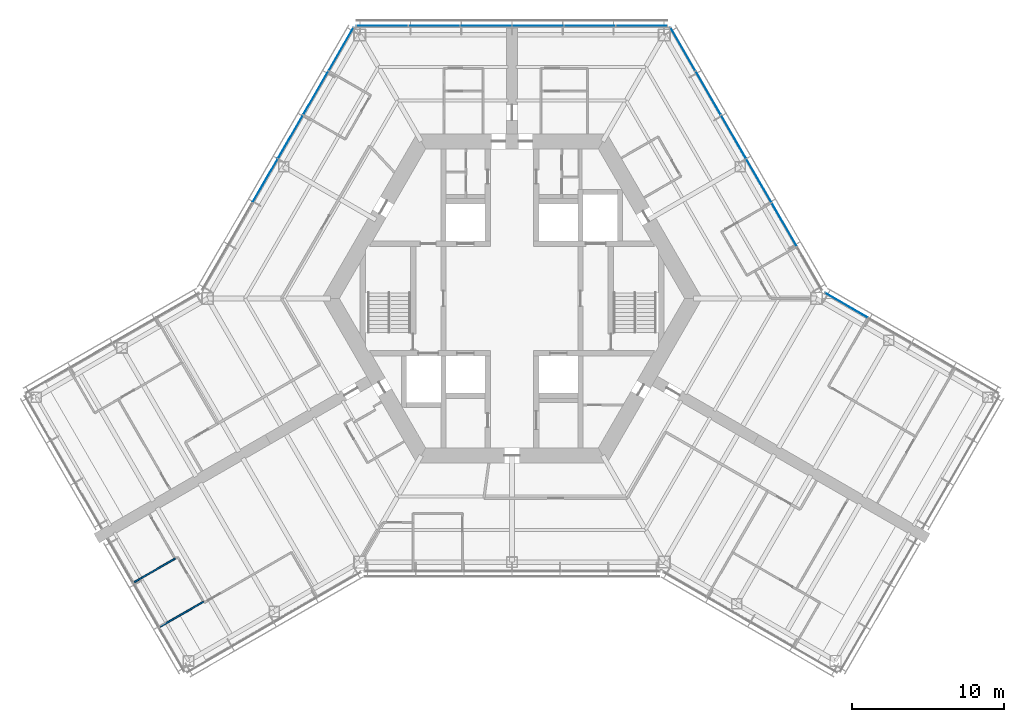
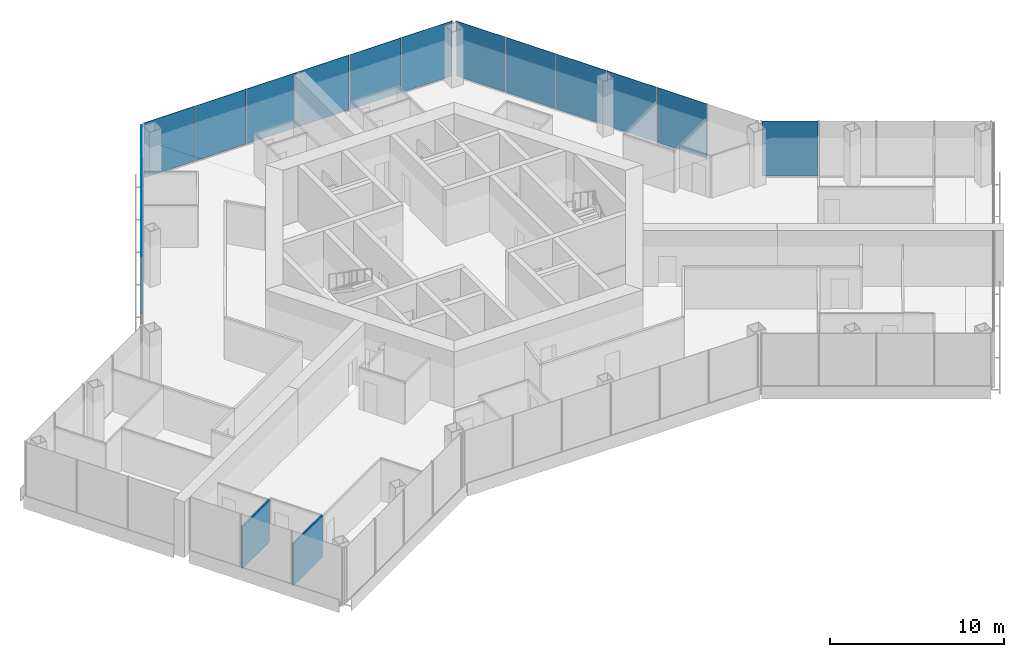
# One storey, part 11 of 18: 16 plates, 2 walls, 4 elements without a shape of their own.
"""IFC4 building model written with IfcOpenShell, lengths in metres."""

from ifc_helpers import new_model, si_unit, direction, frame, frame_2d, origin, origin_2d, place, context, subcontext, project, spatial, rectangle, extrude, material, layer, layer_set, type_object, element, aggregate, save


model = new_model("IFC4")

# Units and contexts
model_context = context("Model", 3, precision=1e-05, world=origin(), true_north=direction((0.0, 1.0)))
body_context = subcontext(model_context, "Body", "Model", "MODEL_VIEW")
ifc_project = project(units=[si_unit("LENGTHUNIT", "METRE"), si_unit("AREAUNIT", "SQUARE_METRE"), si_unit("VOLUMEUNIT", "CUBIC_METRE"), si_unit("PLANEANGLEUNIT", "RADIAN"), si_unit("MASSUNIT", "GRAM", prefix="KILO")], contexts=[model_context])

# Site, building, storey
site_placement = place(None, origin())
site = spatial("IfcSite", under=ifc_project, at=site_placement, CompositionType="ELEMENT")
building_placement = place(site_placement, origin())
building = spatial("IfcBuilding", under=site, at=building_placement, Name="Kasaneha Research Tower", CompositionType="ELEMENT")
storey_placement = place(building_placement, frame((0.0, 0.0, 195.5)))
storey = spatial("IfcBuildingStorey", under=building, at=storey_placement, Name="L49", CompositionType="ELEMENT", Elevation=195.5)

# Curtain wall, plate
ifc_material_1 = material(Name="Glass and aluminium", Category="aluminium")
curtain_wall_type = type_object("IfcCurtainWallType", Name="Mid-rise office curtain wall", PredefinedType="USERDEFINED", material=ifc_material_1)
curtain_wall_1_placement = place(storey_placement, origin())
curtain_wall_1 = element("IfcCurtainWall", 1, at=curtain_wall_1_placement, inside=storey, type_object=curtain_wall_type, Name="CW-O2 L49 run 05a", ObjectType="UNITISED CURTAIN WALL", PredefinedType="USERDEFINED")
ifc_material_2 = material(Name="Laminated double glazing", Category="glass")
ifc_layer_1 = layer(ifc_material_2, 0.02587890625)
ifc_layer_set_1 = layer_set([ifc_layer_1], Name="CW-O2 glazed panel")
plate_type = type_object("IfcPlateType", Name="CW-O2 glazed panel", PredefinedType="CURTAIN_PANEL", material=ifc_layer_set_1)
plate_1_placement = place(storey_placement, frame((21.971923828125, -0.44580078125, 0.06005859375), z_axis=(0.0, 0.0, 1.0), x_axis=(-0.866025411464, 0.499999986699, 0.0)))
plate_1 = element("IfcPlate", 2, at=plate_1_placement, type_object=plate_type, Name="CW-O2 panel 4", PredefinedType="CURTAIN_PANEL", context=body_context, shape_type="SweptSolid", body=[
    extrude(rectangle(XDim=3.2197265625, YDim=0.02587890625, at=origin_2d()), origin(), (0.0, 0.0, 1.0), 3.840087890625),
])
aggregate(curtain_wall_1, [plate_1])

# Curtain wall, plates
curtain_wall_2_placement = place(storey_placement, origin())
curtain_wall_2 = element("IfcCurtainWall", 3, at=curtain_wall_2_placement, inside=storey, type_object=curtain_wall_type, Name="CW-O2 L49 run 06a", ObjectType="UNITISED CURTAIN WALL", PredefinedType="USERDEFINED")
plate_2_placement = place(storey_placement, frame((17.89111328125, 4.852783203125, 0.06005859375), z_axis=(0.0, 0.0, 1.0), x_axis=(-0.499999979232, 0.866025415775, 0.0)))
plate_2 = element("IfcPlate", 4, at=plate_2_placement, type_object=plate_type, Name="CW-O2 panel 2", PredefinedType="CURTAIN_PANEL", context=body_context, shape_type="SweptSolid", body=[
    extrude(rectangle(XDim=3.27099609375, YDim=0.02587890625, at=origin_2d()), origin(), (0.0, 0.0, 1.0), 3.840087890625),
])
plate_3_placement = place(storey_placement, frame((16.2255859375, 7.737548828125, 0.06005859375), z_axis=(0.0, 0.0, 1.0), x_axis=(-0.499999979232, 0.866025415775, 0.0)))
plate_3 = element("IfcPlate", 5, at=plate_3_placement, type_object=plate_type, Name="CW-O2 panel 3", PredefinedType="CURTAIN_PANEL", context=body_context, shape_type="SweptSolid", body=[
    extrude(rectangle(XDim=3.27099609375, YDim=0.02587890625, at=origin_2d()), origin(), (0.0, 0.0, 1.0), 3.840087890625),
])
plate_4_placement = place(storey_placement, frame((14.56005859375, 10.622314453125, 0.06005859375), z_axis=(0.0, 0.0, 1.0), x_axis=(-0.499999979232, 0.866025415775, 0.0)))
plate_4 = element("IfcPlate", 6, at=plate_4_placement, type_object=plate_type, Name="CW-O2 panel 4", PredefinedType="CURTAIN_PANEL", context=body_context, shape_type="SweptSolid", body=[
    extrude(rectangle(XDim=3.27099609375, YDim=0.02587890625, at=origin_2d()), origin(), (0.0, 0.0, 1.0), 3.840087890625),
])
plate_5_placement = place(storey_placement, frame((12.89453125, 13.5068359375, 0.06005859375), z_axis=(0.0, 0.0, 1.0), x_axis=(-0.499999979232, 0.866025415775, 0.0)))
plate_5 = element("IfcPlate", 7, at=plate_5_placement, type_object=plate_type, Name="CW-O2 panel 5", PredefinedType="CURTAIN_PANEL", context=body_context, shape_type="SweptSolid", body=[
    extrude(rectangle(XDim=3.27099609375, YDim=0.02587890625, at=origin_2d()), origin(), (0.0, 0.0, 1.0), 3.840087890625),
])
plate_6_placement = place(storey_placement, frame((11.236572265625, 16.378662109375, 0.06005859375), z_axis=(0.0, 0.0, 1.0), x_axis=(-0.499999979232, 0.866025415775, 0.0)))
plate_6 = element("IfcPlate", 8, at=plate_6_placement, type_object=plate_type, Name="CW-O2 panel 6", PredefinedType="CURTAIN_PANEL", context=body_context, shape_type="SweptSolid", body=[
    extrude(rectangle(XDim=3.240966796875, YDim=0.02587890625, at=origin_2d()), origin(), (0.0, 0.0, 1.0), 3.840087890625),
])
aggregate(curtain_wall_2, [plate_2, plate_3, plate_4, plate_5, plate_6])

curtain_wall_3_placement = place(storey_placement, origin())
curtain_wall_3 = element("IfcCurtainWall", 9, at=curtain_wall_3_placement, inside=storey, type_object=curtain_wall_type, Name="CW-O2 L49 run 07a", ObjectType="UNITISED CURTAIN WALL", PredefinedType="USERDEFINED")
plate_7_placement = place(storey_placement, frame((8.523681640625, 17.92041015625, 0.06005859375), z_axis=(0.0, 0.0, 1.0), x_axis=(-1.0, 0.0, 0.0)))
plate_7 = element("IfcPlate", 10, at=plate_7_placement, type_object=plate_type, Name="CW-O2 panel 1", PredefinedType="CURTAIN_PANEL", context=body_context, shape_type="SweptSolid", body=[
    extrude(rectangle(XDim=3.325439453125, YDim=0.02587890625, at=origin_2d()), origin(), (0.0, 0.0, 1.0), 3.840087890625),
])
plate_8_placement = place(storey_placement, frame((5.123291015625, 17.92041015625, 0.06005859375), z_axis=(0.0, 0.0, 1.0), x_axis=(-1.0, 0.0, 0.0)))
plate_8 = element("IfcPlate", 11, at=plate_8_placement, type_object=plate_type, Name="CW-O2 panel 2", PredefinedType="CURTAIN_PANEL", context=body_context, shape_type="SweptSolid", body=[
    extrude(rectangle(XDim=3.35546875, YDim=0.02587890625, at=origin_2d()), origin(), (0.0, 0.0, 1.0), 3.840087890625),
])
plate_9_placement = place(storey_placement, frame((1.707763671875, 17.92041015625, 0.06005859375), z_axis=(0.0, 0.0, 1.0), x_axis=(-1.0, 0.0, 0.0)))
plate_9 = element("IfcPlate", 12, at=plate_9_placement, type_object=plate_type, Name="CW-O2 panel 3", PredefinedType="CURTAIN_PANEL", context=body_context, shape_type="SweptSolid", body=[
    extrude(rectangle(XDim=3.35546875, YDim=0.02587890625, at=origin_2d()), origin(), (0.0, 0.0, 1.0), 3.840087890625),
])
plate_10_placement = place(storey_placement, frame((-1.707763671875, 17.92041015625, 0.06005859375), z_axis=(0.0, 0.0, 1.0), x_axis=(-1.0, 0.0, 0.0)))
plate_10 = element("IfcPlate", 13, at=plate_10_placement, type_object=plate_type, Name="CW-O2 panel 4", PredefinedType="CURTAIN_PANEL", context=body_context, shape_type="SweptSolid", body=[
    extrude(rectangle(XDim=3.35546875, YDim=0.02587890625, at=origin_2d()), origin(), (0.0, 0.0, 1.0), 3.840087890625),
])
plate_11_placement = place(storey_placement, frame((-5.123291015625, 17.92041015625, 0.06005859375), z_axis=(0.0, 0.0, 1.0), x_axis=(-1.0, 0.0, 0.0)))
plate_11 = element("IfcPlate", 14, at=plate_11_placement, type_object=plate_type, Name="CW-O2 panel 5", PredefinedType="CURTAIN_PANEL", context=body_context, shape_type="SweptSolid", body=[
    extrude(rectangle(XDim=3.35546875, YDim=0.02587890625, at=origin_2d()), origin(), (0.0, 0.0, 1.0), 3.840087890625),
])
plate_12_placement = place(storey_placement, frame((-8.523681640625, 17.92041015625, 0.06005859375), z_axis=(0.0, 0.0, 1.0), x_axis=(-1.0, 0.0, 0.0)))
plate_12 = element("IfcPlate", 15, at=plate_12_placement, type_object=plate_type, Name="CW-O2 panel 6", PredefinedType="CURTAIN_PANEL", context=body_context, shape_type="SweptSolid", body=[
    extrude(rectangle(XDim=3.325439453125, YDim=0.02587890625, at=origin_2d()), origin(), (0.0, 0.0, 1.0), 3.840087890625),
])
aggregate(curtain_wall_3, [plate_7, plate_8, plate_9, plate_10, plate_11, plate_12])

curtain_wall_4_placement = place(storey_placement, origin())
curtain_wall_4 = element("IfcCurtainWall", 16, at=curtain_wall_4_placement, inside=storey, type_object=curtain_wall_type, Name="CW-O2 L49 run 08a", ObjectType="UNITISED CURTAIN WALL", PredefinedType="USERDEFINED")
plate_13_placement = place(storey_placement, frame((-11.236572265625, 16.378662109375, 0.06005859375), z_axis=(0.0, 0.0, 1.0), x_axis=(-0.499999979232, -0.866025415775, 0.0)))
plate_13 = element("IfcPlate", 17, at=plate_13_placement, type_object=plate_type, Name="CW-O2 panel 1", PredefinedType="CURTAIN_PANEL", context=body_context, shape_type="SweptSolid", body=[
    extrude(rectangle(XDim=3.240966796875, YDim=0.02587890625, at=origin_2d()), origin(), (0.0, 0.0, 1.0), 3.840087890625),
])
plate_14_placement = place(storey_placement, frame((-12.89453125, 13.5068359375, 0.06005859375), z_axis=(0.0, 0.0, 1.0), x_axis=(-0.499999979232, -0.866025415775, 0.0)))
plate_14 = element("IfcPlate", 18, at=plate_14_placement, type_object=plate_type, Name="CW-O2 panel 2", PredefinedType="CURTAIN_PANEL", context=body_context, shape_type="SweptSolid", body=[
    extrude(rectangle(XDim=3.27099609375, YDim=0.02587890625, at=origin_2d()), origin(), (0.0, 0.0, 1.0), 3.840087890625),
])
plate_15_placement = place(storey_placement, frame((-14.56005859375, 10.622314453125, 0.06005859375), z_axis=(0.0, 0.0, 1.0), x_axis=(-0.499999979232, -0.866025415775, 0.0)))
plate_15 = element("IfcPlate", 19, at=plate_15_placement, type_object=plate_type, Name="CW-O2 panel 3", PredefinedType="CURTAIN_PANEL", context=body_context, shape_type="SweptSolid", body=[
    extrude(rectangle(XDim=3.27099609375, YDim=0.02587890625, at=origin_2d()), origin(), (0.0, 0.0, 1.0), 3.840087890625),
])
plate_16_placement = place(storey_placement, frame((-16.2255859375, 7.737548828125, 0.06005859375), z_axis=(0.0, 0.0, 1.0), x_axis=(-0.499999979232, -0.866025415775, 0.0)))
plate_16 = element("IfcPlate", 20, at=plate_16_placement, type_object=plate_type, Name="CW-O2 panel 4", PredefinedType="CURTAIN_PANEL", context=body_context, shape_type="SweptSolid", body=[
    extrude(rectangle(XDim=3.27099609375, YDim=0.02587890625, at=origin_2d()), origin(), (0.0, 0.0, 1.0), 3.840087890625),
])
aggregate(curtain_wall_4, [plate_13, plate_14, plate_15, plate_16])

# Walls
ifc_material_3 = material(Name="Gypsum board on steel studs, one layer each side", Category="steel")
ifc_layer_2 = layer(ifc_material_3, 0.10009765625)
ifc_layer_set_2 = layer_set([ifc_layer_2], Name="Office partition 100")
wall_type = type_object("IfcWallType", Name="Office partition 100", PredefinedType="PARTITIONING", material=ifc_layer_set_2)
wall_1_placement = place(storey_placement, frame((-23.13720703125, -21.576416015625, 0.0), z_axis=(0.0, 0.0, 1.0), x_axis=(0.866702770653, 0.498824926544, 0.0)))
element("IfcWall", 21, at=wall_1_placement, inside=storey, type_object=wall_type, Name="Office partition FBS06 L49", PredefinedType="PARTITIONING", context=body_context, shape_type="SweptSolid", body=[
    extrude(rectangle(XDim=3.3056640625, YDim=0.10009765625, at=frame_2d((1.65283203125, 0.0))), origin(), (0.0, 0.0, 1.0), 2.949951171875),
])
wall_2_placement = place(storey_placement, frame((-24.8291015625, -18.64599609375, 0.0), z_axis=(0.0, 0.0, 1.0), x_axis=(0.866002566612, 0.500039553057, 0.0)))
element("IfcWall", 22, at=wall_2_placement, inside=storey, type_object=wall_type, Name="Office partition FBS09 L49", PredefinedType="PARTITIONING", context=body_context, shape_type="SweptSolid", body=[
    extrude(rectangle(XDim=3.110107421875, YDim=0.10009765625, at=frame_2d((1.55517578125, 0.0))), origin(), (0.0, 0.0, 1.0), 2.949951171875),
])

save(model, "model.ifc")
